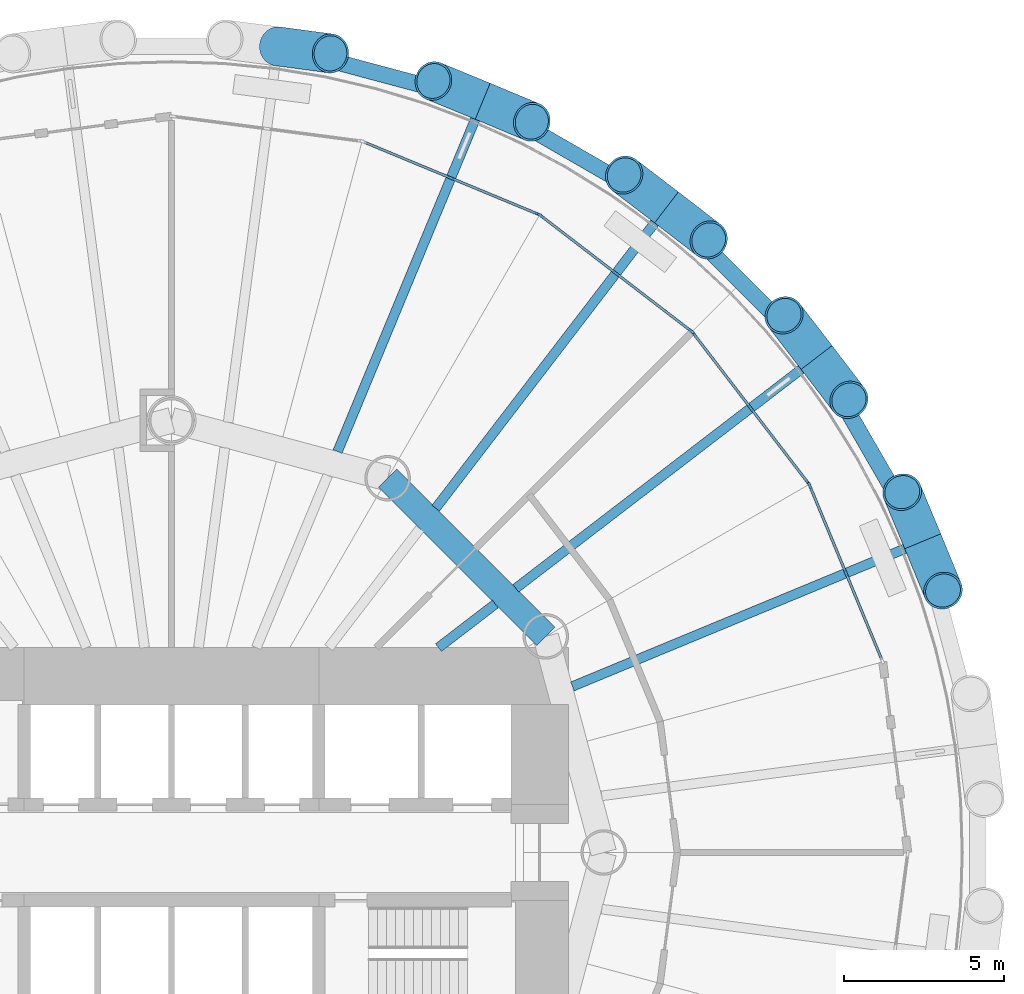
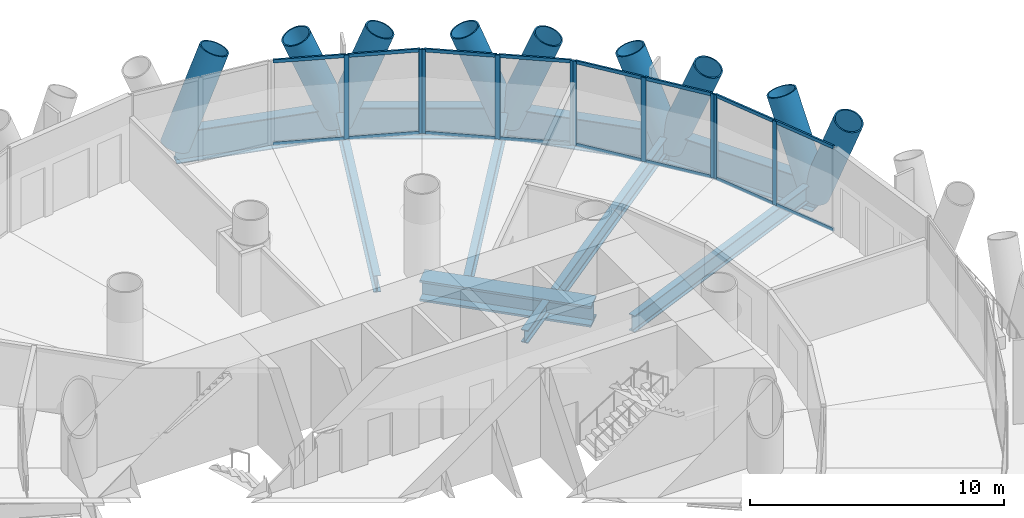
# One storey, part 6 of 14: 35 members, 10 beams, 4 elements without a shape of their own.
"""IFC4 building model written with IfcOpenShell, lengths in metres."""

from ifc_helpers import new_model, si_unit, direction, frame, origin, origin_2d, place, context, subcontext, project, spatial, rectangle, hollow_circle, i_section, extrude, material, material_profile, profile_set, type_object, element, aggregate, save


model = new_model("IFC4")

# Units and contexts
model_context = context("Model", 3, precision=1e-05, world=origin(), true_north=direction((0.0, 1.0)))
body_context = subcontext(model_context, "Body", "Model", "MODEL_VIEW")
ifc_project = project(units=[si_unit("LENGTHUNIT", "METRE"), si_unit("AREAUNIT", "SQUARE_METRE"), si_unit("VOLUMEUNIT", "CUBIC_METRE"), si_unit("PLANEANGLEUNIT", "RADIAN"), si_unit("MASSUNIT", "GRAM", prefix="KILO")], contexts=[model_context])

# Site, building, storey
site_placement = place(None, origin())
site = spatial("IfcSite", under=ifc_project, at=site_placement, CompositionType="ELEMENT")
building_placement = place(site_placement, origin())
building = spatial("IfcBuilding", under=site, at=building_placement, Name="Qaws Media Tower", CompositionType="ELEMENT")
storey_placement = place(building_placement, frame((0.0, 0.0, 68.0)))
storey = spatial("IfcBuildingStorey", under=building, at=storey_placement, Name="L14", CompositionType="ELEMENT", Elevation=68.0)

# Curtain wall, members
ifc_material_1 = material(Name="Aluminium and clear glass", Category="aluminium")
curtain_wall_type = type_object("IfcCurtainWallType", Name="Unitised curtain wall CW-A", PredefinedType="NOTDEFINED", material=ifc_material_1)
curtain_wall_1_placement = place(storey_placement, origin())
curtain_wall_1 = element("IfcCurtainWall", 1, at=curtain_wall_1_placement, inside=storey, type_object=curtain_wall_type, Name="CWA curtain wall L14-02", PredefinedType="NOTDEFINED")
ifc_material_2 = material(Name="Aluminium mullion", Category="aluminium")
ifc_material_profile_1 = material_profile(ifc_material_2, rectangle(XDim=0.080078125, YDim=0.199951171875, at=origin_2d()), Name="80x200")
ifc_profile_set_1 = profile_set([ifc_material_profile_1], Name="Aluminium mullion")
member_type_1 = type_object("IfcMemberType", Name="Curtain wall mullion 80x200", PredefinedType="MULLION", material=ifc_profile_set_1)
member_1_placement = place(storey_placement, frame((81.0673828125, 58.726318359375, 0.0), z_axis=(0.0, 0.0, 1.0), x_axis=(-0.923879516795, -0.382683470307, 0.0)))
member_1 = element("IfcMember", 2, at=member_1_placement, type_object=member_type_1, Name="CWA mullion 2", PredefinedType="MULLION", context=body_context, shape_type="SweptSolid", body=[
    extrude(rectangle(XDim=0.080078125, YDim=0.199951171875, at=origin_2d()), origin(), (0.0, 0.0, 1.0), 4.0400390625),
])
member_2_placement = place(storey_placement, frame((79.933837890625, 61.463134765625, 0.0), z_axis=(0.0, 0.0, 1.0), x_axis=(-0.923879516795, -0.382683470307, 0.0)))
member_2 = element("IfcMember", 3, at=member_2_placement, type_object=member_type_1, Name="CWA mullion 3", PredefinedType="MULLION", context=body_context, shape_type="SweptSolid", body=[
    extrude(rectangle(XDim=0.080078125, YDim=0.199951171875, at=origin_2d()), origin(), (0.0, 0.0, 1.0), 4.0400390625),
])

curtain_wall_2_placement = place(storey_placement, origin())
curtain_wall_2 = element("IfcCurtainWall", 4, at=curtain_wall_2_placement, inside=storey, type_object=curtain_wall_type, Name="CWA curtain wall L14-03", PredefinedType="NOTDEFINED")
member_3_placement = place(storey_placement, frame((79.894287109375, 61.53173828125, 0.0), z_axis=(0.0, 0.0, 1.0), x_axis=(-0.793353368033, -0.608761392855, 0.0)))
member_3 = element("IfcMember", 5, at=member_3_placement, type_object=member_type_1, Name="CWA mullion 1", PredefinedType="MULLION", context=body_context, shape_type="SweptSolid", body=[
    extrude(rectangle(XDim=0.080078125, YDim=0.199951171875, at=origin_2d()), origin(), (0.0, 0.0, 1.0), 4.0400390625),
])
member_4_placement = place(storey_placement, frame((78.091064453125, 63.8818359375, 0.0), z_axis=(0.0, 0.0, 1.0), x_axis=(-0.793353368033, -0.608761392855, 0.0)))
member_4 = element("IfcMember", 6, at=member_4_placement, type_object=member_type_1, Name="CWA mullion 2", PredefinedType="MULLION", context=body_context, shape_type="SweptSolid", body=[
    extrude(rectangle(XDim=0.080078125, YDim=0.199951171875, at=origin_2d()), origin(), (0.0, 0.0, 1.0), 4.0400390625),
])
member_5_placement = place(storey_placement, frame((76.287841796875, 66.231689453125, 0.0), z_axis=(0.0, 0.0, 1.0), x_axis=(-0.793353368033, -0.608761392855, 0.0)))
member_5 = element("IfcMember", 7, at=member_5_placement, type_object=member_type_1, Name="CWA mullion 3", PredefinedType="MULLION", context=body_context, shape_type="SweptSolid", body=[
    extrude(rectangle(XDim=0.080078125, YDim=0.199951171875, at=origin_2d()), origin(), (0.0, 0.0, 1.0), 4.0400390625),
])

curtain_wall_3_placement = place(storey_placement, origin())
curtain_wall_3 = element("IfcCurtainWall", 8, at=curtain_wall_3_placement, inside=storey, type_object=curtain_wall_type, Name="CWA curtain wall L14-04", PredefinedType="NOTDEFINED")
member_6_placement = place(storey_placement, frame((76.231689453125, 66.287841796875, 0.0), z_axis=(0.0, 0.0, 1.0), x_axis=(-0.608761392855, -0.793353368033, 0.0)))
member_6 = element("IfcMember", 9, at=member_6_placement, type_object=member_type_1, Name="CWA mullion 1", PredefinedType="MULLION", context=body_context, shape_type="SweptSolid", body=[
    extrude(rectangle(XDim=0.080078125, YDim=0.199951171875, at=origin_2d()), origin(), (0.0, 0.0, 1.0), 4.0400390625),
])
member_7_placement = place(storey_placement, frame((73.8818359375, 68.091064453125, 0.0), z_axis=(0.0, 0.0, 1.0), x_axis=(-0.608761392855, -0.793353368033, 0.0)))
member_7 = element("IfcMember", 10, at=member_7_placement, type_object=member_type_1, Name="CWA mullion 2", PredefinedType="MULLION", context=body_context, shape_type="SweptSolid", body=[
    extrude(rectangle(XDim=0.080078125, YDim=0.199951171875, at=origin_2d()), origin(), (0.0, 0.0, 1.0), 4.0400390625),
])
member_8_placement = place(storey_placement, frame((71.53173828125, 69.894287109375, 0.0), z_axis=(0.0, 0.0, 1.0), x_axis=(-0.608761392855, -0.793353368033, 0.0)))
member_8 = element("IfcMember", 11, at=member_8_placement, type_object=member_type_1, Name="CWA mullion 3", PredefinedType="MULLION", context=body_context, shape_type="SweptSolid", body=[
    extrude(rectangle(XDim=0.080078125, YDim=0.199951171875, at=origin_2d()), origin(), (0.0, 0.0, 1.0), 4.0400390625),
])

curtain_wall_4_placement = place(storey_placement, origin())
curtain_wall_4 = element("IfcCurtainWall", 12, at=curtain_wall_4_placement, inside=storey, type_object=curtain_wall_type, Name="CWA curtain wall L14-05", PredefinedType="NOTDEFINED")
member_9_placement = place(storey_placement, frame((71.463134765625, 69.933837890625, 0.0), z_axis=(0.0, 0.0, 1.0), x_axis=(-0.382683470307, -0.923879516795, 0.0)))
member_9 = element("IfcMember", 13, at=member_9_placement, type_object=member_type_1, Name="CWA mullion 1", PredefinedType="MULLION", context=body_context, shape_type="SweptSolid", body=[
    extrude(rectangle(XDim=0.080078125, YDim=0.199951171875, at=origin_2d()), origin(), (0.0, 0.0, 1.0), 4.0400390625),
])
member_10_placement = place(storey_placement, frame((68.726318359375, 71.0673828125, 0.0), z_axis=(0.0, 0.0, 1.0), x_axis=(-0.382683470307, -0.923879516795, 0.0)))
member_10 = element("IfcMember", 14, at=member_10_placement, type_object=member_type_1, Name="CWA mullion 2", PredefinedType="MULLION", context=body_context, shape_type="SweptSolid", body=[
    extrude(rectangle(XDim=0.080078125, YDim=0.199951171875, at=origin_2d()), origin(), (0.0, 0.0, 1.0), 4.0400390625),
])

# Member
ifc_material_3 = material(Name="Aluminium transom", Category="aluminium")
ifc_material_profile_2 = material_profile(ifc_material_3, rectangle(XDim=0.080078125, YDim=0.159912109375, at=origin_2d()), Name="80x160")
ifc_profile_set_2 = profile_set([ifc_material_profile_2], Name="Aluminium transom")
member_type_2 = type_object("IfcMemberType", Name="Curtain wall transom 80x160", PredefinedType="USERDEFINED", material=ifc_profile_set_2)
member_11_placement = place(storey_placement, frame((82.185791015625, 56.02685546875, 0.0400390625), z_axis=(-0.382725867339, 0.923861954228, 0.0), x_axis=(-0.923861954228, -0.382725867339, 0.0)))
member_11 = element("IfcMember", 15, at=member_11_placement, type_object=member_type_2, Name="CWA transom 1.1", ObjectType="TRANSOM", PredefinedType="USERDEFINED", context=body_context, shape_type="SweptSolid", body=[
    extrude(rectangle(XDim=0.080078125, YDim=0.159912109375, at=origin_2d()), origin(), (0.0, 0.0, 1.0), 2.882080078125),
])

member_12_placement = place(storey_placement, frame((82.185791015625, 56.02685546875, 4.0), z_axis=(-0.382725867339, 0.923861954228, 0.0), x_axis=(-0.923861954228, -0.382725867339, 0.0)))
member_12 = element("IfcMember", 16, at=member_12_placement, type_object=member_type_2, Name="CWA transom 1.2", ObjectType="TRANSOM", PredefinedType="USERDEFINED", context=body_context, shape_type="SweptSolid", body=[
    extrude(rectangle(XDim=0.080078125, YDim=0.159912109375, at=origin_2d()), origin(), (0.0, 0.0, 1.0), 2.882080078125),
])

member_13_placement = place(storey_placement, frame((81.05224609375, 58.763427734375, 0.0400390625), z_axis=(-0.382725867339, 0.923861954228, 0.0), x_axis=(-0.923861954228, -0.382725867339, 0.0)))
member_13 = element("IfcMember", 17, at=member_13_placement, type_object=member_type_2, Name="CWA transom 2.1", ObjectType="TRANSOM", PredefinedType="USERDEFINED", context=body_context, shape_type="SweptSolid", body=[
    extrude(rectangle(XDim=0.080078125, YDim=0.159912109375, at=origin_2d()), origin(), (0.0, 0.0, 1.0), 2.882080078125),
])

member_14_placement = place(storey_placement, frame((81.05224609375, 58.763427734375, 4.0), z_axis=(-0.382725867339, 0.923861954228, 0.0), x_axis=(-0.923861954228, -0.382725867339, 0.0)))
member_14 = element("IfcMember", 18, at=member_14_placement, type_object=member_type_2, Name="CWA transom 2.2", ObjectType="TRANSOM", PredefinedType="USERDEFINED", context=body_context, shape_type="SweptSolid", body=[
    extrude(rectangle(XDim=0.080078125, YDim=0.159912109375, at=origin_2d()), origin(), (0.0, 0.0, 1.0), 2.882080078125),
])

aggregate(curtain_wall_1, [member_1, member_2, member_11, member_12, member_13, member_14])

member_15_placement = place(storey_placement, frame((79.869873046875, 61.5634765625, 0.0400390625), z_axis=(-0.608719597499, 0.793385436985, 0.0), x_axis=(-0.793385436985, -0.608719597499, 0.0)))
member_15 = element("IfcMember", 19, at=member_15_placement, type_object=member_type_2, Name="CWA transom 1.1", ObjectType="TRANSOM", PredefinedType="USERDEFINED", context=body_context, shape_type="SweptSolid", body=[
    extrude(rectangle(XDim=0.080078125, YDim=0.159912109375, at=origin_2d()), origin(), (0.0, 0.0, 1.0), 2.882080078125),
])

member_16_placement = place(storey_placement, frame((79.869873046875, 61.5634765625, 4.0), z_axis=(-0.608719597499, 0.793385436985, 0.0), x_axis=(-0.793385436985, -0.608719597499, 0.0)))
member_16 = element("IfcMember", 20, at=member_16_placement, type_object=member_type_2, Name="CWA transom 1.2", ObjectType="TRANSOM", PredefinedType="USERDEFINED", context=body_context, shape_type="SweptSolid", body=[
    extrude(rectangle(XDim=0.080078125, YDim=0.159912109375, at=origin_2d()), origin(), (0.0, 0.0, 1.0), 2.882080078125),
])

member_17_placement = place(storey_placement, frame((78.066650390625, 63.91357421875, 0.0400390625), z_axis=(-0.608760509637, 0.793354045749, 0.0), x_axis=(-0.793354045749, -0.608760509637, 0.0)))
member_17 = element("IfcMember", 21, at=member_17_placement, type_object=member_type_2, Name="CWA transom 2.1", ObjectType="TRANSOM", PredefinedType="USERDEFINED", context=body_context, shape_type="SweptSolid", body=[
    extrude(rectangle(XDim=0.080078125, YDim=0.159912109375, at=origin_2d()), origin(), (0.0, 0.0, 1.0), 2.8818359375),
])

member_18_placement = place(storey_placement, frame((78.066650390625, 63.91357421875, 4.0), z_axis=(-0.608760509637, 0.793354045749, 0.0), x_axis=(-0.793354045749, -0.608760509637, 0.0)))
member_18 = element("IfcMember", 22, at=member_18_placement, type_object=member_type_2, Name="CWA transom 2.2", ObjectType="TRANSOM", PredefinedType="USERDEFINED", context=body_context, shape_type="SweptSolid", body=[
    extrude(rectangle(XDim=0.080078125, YDim=0.159912109375, at=origin_2d()), origin(), (0.0, 0.0, 1.0), 2.8818359375),
])

aggregate(curtain_wall_2, [member_3, member_4, member_5, member_15, member_16, member_17, member_18])

member_19_placement = place(storey_placement, frame((76.199951171875, 66.312255859375, 0.0400390625), z_axis=(-0.793354045749, 0.608760509637, 0.0), x_axis=(-0.608760509637, -0.793354045749, 0.0)))
member_19 = element("IfcMember", 23, at=member_19_placement, type_object=member_type_2, Name="CWA transom 1.1", ObjectType="TRANSOM", PredefinedType="USERDEFINED", context=body_context, shape_type="SweptSolid", body=[
    extrude(rectangle(XDim=0.080078125, YDim=0.159912109375, at=origin_2d()), origin(), (0.0, 0.0, 1.0), 2.8818359375),
])

member_20_placement = place(storey_placement, frame((76.199951171875, 66.312255859375, 4.0), z_axis=(-0.793354045749, 0.608760509637, 0.0), x_axis=(-0.608760509637, -0.793354045749, 0.0)))
member_20 = element("IfcMember", 24, at=member_20_placement, type_object=member_type_2, Name="CWA transom 1.2", ObjectType="TRANSOM", PredefinedType="USERDEFINED", context=body_context, shape_type="SweptSolid", body=[
    extrude(rectangle(XDim=0.080078125, YDim=0.159912109375, at=origin_2d()), origin(), (0.0, 0.0, 1.0), 2.8818359375),
])

member_21_placement = place(storey_placement, frame((73.85009765625, 68.115478515625, 0.0400390625), z_axis=(-0.793385436985, 0.608719597499, 0.0), x_axis=(-0.608719597499, -0.793385436985, 0.0)))
member_21 = element("IfcMember", 25, at=member_21_placement, type_object=member_type_2, Name="CWA transom 2.1", ObjectType="TRANSOM", PredefinedType="USERDEFINED", context=body_context, shape_type="SweptSolid", body=[
    extrude(rectangle(XDim=0.080078125, YDim=0.159912109375, at=origin_2d()), origin(), (0.0, 0.0, 1.0), 2.882080078125),
])

member_22_placement = place(storey_placement, frame((73.85009765625, 68.115478515625, 4.0), z_axis=(-0.793385436985, 0.608719597499, 0.0), x_axis=(-0.608719597499, -0.793385436985, 0.0)))
member_22 = element("IfcMember", 26, at=member_22_placement, type_object=member_type_2, Name="CWA transom 2.2", ObjectType="TRANSOM", PredefinedType="USERDEFINED", context=body_context, shape_type="SweptSolid", body=[
    extrude(rectangle(XDim=0.080078125, YDim=0.159912109375, at=origin_2d()), origin(), (0.0, 0.0, 1.0), 2.882080078125),
])

aggregate(curtain_wall_3, [member_6, member_7, member_8, member_19, member_20, member_21, member_22])

member_23_placement = place(storey_placement, frame((71.426025390625, 69.94921875, 0.0400390625), z_axis=(-0.923861954228, 0.382725867339, 0.0), x_axis=(-0.382725867339, -0.923861954228, 0.0)))
member_23 = element("IfcMember", 27, at=member_23_placement, type_object=member_type_2, Name="CWA transom 1.1", ObjectType="TRANSOM", PredefinedType="USERDEFINED", context=body_context, shape_type="SweptSolid", body=[
    extrude(rectangle(XDim=0.080078125, YDim=0.159912109375, at=origin_2d()), origin(), (0.0, 0.0, 1.0), 2.882080078125),
])

member_24_placement = place(storey_placement, frame((71.426025390625, 69.94921875, 4.0), z_axis=(-0.923861954228, 0.382725867339, 0.0), x_axis=(-0.382725867339, -0.923861954228, 0.0)))
member_24 = element("IfcMember", 28, at=member_24_placement, type_object=member_type_2, Name="CWA transom 1.2", ObjectType="TRANSOM", PredefinedType="USERDEFINED", context=body_context, shape_type="SweptSolid", body=[
    extrude(rectangle(XDim=0.080078125, YDim=0.159912109375, at=origin_2d()), origin(), (0.0, 0.0, 1.0), 2.882080078125),
])

member_25_placement = place(storey_placement, frame((68.689453125, 71.082763671875, 0.0400390625), z_axis=(-0.923861954228, 0.382725867339, 0.0), x_axis=(-0.382725867339, -0.923861954228, 0.0)))
member_25 = element("IfcMember", 29, at=member_25_placement, type_object=member_type_2, Name="CWA transom 2.1", ObjectType="TRANSOM", PredefinedType="USERDEFINED", context=body_context, shape_type="SweptSolid", body=[
    extrude(rectangle(XDim=0.080078125, YDim=0.159912109375, at=origin_2d()), origin(), (0.0, 0.0, 1.0), 2.882080078125),
])

member_26_placement = place(storey_placement, frame((68.689453125, 71.082763671875, 4.0), z_axis=(-0.923861954228, 0.382725867339, 0.0), x_axis=(-0.382725867339, -0.923861954228, 0.0)))
member_26 = element("IfcMember", 30, at=member_26_placement, type_object=member_type_2, Name="CWA transom 2.2", ObjectType="TRANSOM", PredefinedType="USERDEFINED", context=body_context, shape_type="SweptSolid", body=[
    extrude(rectangle(XDim=0.080078125, YDim=0.159912109375, at=origin_2d()), origin(), (0.0, 0.0, 1.0), 2.882080078125),
])

aggregate(curtain_wall_4, [member_9, member_10, member_23, member_24, member_25, member_26])

# Members
ifc_material_4 = material(Name="Steel S460", Category="steel")
ifc_material_profile_3 = material_profile(ifc_material_4, hollow_circle(Radius=0.609619140625, WallThickness=0.06005859375, at=origin_2d()), Name="CHS 1219x60")
ifc_profile_set_3 = profile_set([ifc_material_profile_3], Name="Steel S460")
member_type_3 = type_object("IfcMemberType", Name="Diagrid member CHS 1219x60", PredefinedType="USERDEFINED", material=ifc_profile_set_3)
for number, where, z_axis, x_axis, name in (
    (31, (83.466552734375, 59.72021484375, -0.909912109375), (-0.141908975855, 0.340019526305, 0.929649699781), (-0.922851117213, -0.385156871234, 0.0), "DG1 diagrid L14 A02"),
    (32, (83.466552734375, 59.72021484375, -0.909912109375), (0.140071829394, -0.340776603455, 0.929651111519), (0.924914851448, 0.380174325238, 0.0), "DG1 diagrid L14 B02"),
    (33, (80.151123046875, 65.462646484375, -0.909912109375), (-0.22507988538, 0.29165813719, 0.929663689841), (-0.791668736026, -0.61095058098, 0.0), "DG1 diagrid L14 A03"),
    (34, (80.151123046875, 65.462646484375, -0.909912109375), (0.223506533312, -0.292947030243, 0.929638030117), (0.795027552738, 0.60657331823, 0.0), "DG1 diagrid L14 B03"),
    (35, (75.462646484375, 70.151123046875, -0.909912109375), (-0.292947030243, 0.223506533312, 0.929638030117), (-0.60657331823, -0.795027552738, 0.0), "DG1 diagrid L14 A04"),
    (36, (75.462646484375, 70.151123046875, -0.909912109375), (0.29165813719, -0.22507988538, 0.929663689841), (0.61095058098, 0.791668736026, 0.0), "DG1 diagrid L14 B04"),
    (37, (69.72021484375, 73.466552734375, -0.909912109375), (-0.340776603455, 0.140071829394, 0.929651111519), (-0.380174325238, -0.924914851448, 0.0), "DG1 diagrid L14 A05"),
    (38, (69.72021484375, 73.466552734375, -0.909912109375), (0.340019526305, -0.141908975855, 0.929649699781), (0.385156871234, 0.922851117213, 0.0), "DG1 diagrid L14 B05"),
    (39, (63.3154296875, 75.1826171875, -0.909912109375), (0.365150048786, -0.049068557688, 0.929654623244), (0.133182057659, 0.991091589873, 0.0), "DG1 diagrid L14 B06"),
):
    element("IfcMember", number, at=place(storey_placement, frame(where, z_axis=z_axis, x_axis=x_axis)), inside=storey, type_object=member_type_3, Name=name, ObjectType="DIAGRID", PredefinedType="USERDEFINED", context=body_context, shape_type="SweptSolid", body=[
        extrude(hollow_circle(Radius=0.609619140625, WallThickness=0.06005859375, at=origin_2d()), origin(), (0.0, 0.0, 1.0), 4.517822265625),
    ])

# Beams
ifc_material_5 = material(Name="Steel S460", Category="steel")
ifc_material_profile_4 = material_profile(ifc_material_5, i_section(OverallWidth=0.5, OverallDepth=1.5, WebThickness=0.02001953125, FlangeThickness=0.0400390625, at=origin_2d()), Name="PG 1500x500")
ifc_profile_set_4 = profile_set([ifc_material_profile_4], Name="Steel S460")
beam_type_1 = type_object("IfcBeamType", Name="Edge ring beam PG 1500x500", PredefinedType="BEAM", material=ifc_profile_set_4)
beam_1_placement = place(storey_placement, frame((83.466552734375, 59.72021484375, -0.909912109375), z_axis=(-0.500003985254, 0.866023102884, 0.0), x_axis=(-0.866023102884, -0.500003985254, 0.0)))
element("IfcBeam", 40, at=beam_1_placement, inside=storey, type_object=beam_type_1, Name="RB4 edge ring beam L14-02", PredefinedType="BEAM", context=body_context, shape_type="SweptSolid", body=[
    extrude(i_section(OverallWidth=0.5, OverallDepth=1.5, WebThickness=0.02001953125, FlangeThickness=0.0400390625, at=origin_2d()), origin(), (0.0, 0.0, 1.0), 6.630859375),
])
beam_2_placement = place(storey_placement, frame((80.151123046875, 65.462646484375, -0.909912109375), z_axis=(-0.707106781187, 0.707106781187, 0.0), x_axis=(-0.707106781187, -0.707106781187, 0.0)))
element("IfcBeam", 41, at=beam_2_placement, inside=storey, type_object=beam_type_1, Name="RB4 edge ring beam L14-03", PredefinedType="BEAM", context=body_context, shape_type="SweptSolid", body=[
    extrude(i_section(OverallWidth=0.5, OverallDepth=1.5, WebThickness=0.02001953125, FlangeThickness=0.0400390625, at=origin_2d()), origin(), (0.0, 0.0, 1.0), 6.630615234375),
])
beam_3_placement = place(storey_placement, frame((75.462646484375, 70.151123046875, -0.909912109375), z_axis=(-0.866023102884, 0.500003985254, 0.0), x_axis=(-0.500003985254, -0.866023102884, 0.0)))
element("IfcBeam", 42, at=beam_3_placement, inside=storey, type_object=beam_type_1, Name="RB4 edge ring beam L14-04", PredefinedType="BEAM", context=body_context, shape_type="SweptSolid", body=[
    extrude(i_section(OverallWidth=0.5, OverallDepth=1.5, WebThickness=0.02001953125, FlangeThickness=0.0400390625, at=origin_2d()), origin(), (0.0, 0.0, 1.0), 6.630859375),
])
beam_4_placement = place(storey_placement, frame((69.72021484375, 73.466552734375, -0.909912109375), z_axis=(-0.965929315924, 0.258806021256, 0.0), x_axis=(-0.258806021256, -0.965929315924, 0.0)))
element("IfcBeam", 43, at=beam_4_placement, inside=storey, type_object=beam_type_1, Name="RB4 edge ring beam L14-05", PredefinedType="BEAM", context=body_context, shape_type="SweptSolid", body=[
    extrude(i_section(OverallWidth=0.5, OverallDepth=1.5, WebThickness=0.02001953125, FlangeThickness=0.0400390625, at=origin_2d()), origin(), (0.0, 0.0, 1.0), 6.630615234375),
])
ifc_material_6 = material(Name="Steel S460", Category="steel")
ifc_material_profile_5 = material_profile(ifc_material_6, i_section(OverallWidth=0.800048828125, OverallDepth=1.0, WebThickness=0.0400390625, FlangeThickness=0.10009765625, at=origin_2d()), Name="PG 1000x800")
ifc_profile_set_5 = profile_set([ifc_material_profile_5], Name="Steel S460")
beam_type_2 = type_object("IfcBeamType", Name="Inner ring girder PG 1000x800", PredefinedType="BEAM", material=ifc_profile_set_5)
beam_5_placement = place(storey_placement, frame((71.69140625, 56.75, -0.659912109375), z_axis=(-0.707106781187, 0.707106781187, 0.0), x_axis=(-0.707106781187, -0.707106781187, 0.0)))
element("IfcBeam", 44, at=beam_5_placement, inside=storey, type_object=beam_type_2, Name="B3 inner ring beam L14 I02-I03", PredefinedType="BEAM", context=body_context, shape_type="SweptSolid", body=[
    extrude(i_section(OverallWidth=0.800048828125, OverallDepth=1.0, WebThickness=0.0400390625, FlangeThickness=0.10009765625, at=origin_2d()), origin(), (0.0, 0.0, 1.0), 6.98828125),
])
ifc_material_7 = material(Name="Steel S355", Category="steel")
ifc_material_profile_6 = material_profile(ifc_material_7, i_section(OverallWidth=0.304931640625, OverallDepth=0.6201171875, WebThickness=0.02099609375, FlangeThickness=0.0400390625, FilletRadius=0.027099609375, at=origin_2d()), Name="HE 600 M")
ifc_profile_set_6 = profile_set([ifc_material_profile_6], Name="Steel S355")
beam_type_3 = type_object("IfcBeamType", Name="Radial beam HE 600 M, core side", PredefinedType="BEAM", material=ifc_profile_set_6)
beam_6_placement = place(storey_placement, frame((68.340576171875, 56.39990234375, -0.469970703125), z_axis=(0.793321589474, 0.608802805245, 0.0), x_axis=(-0.608802805245, 0.793321589474, 0.0)))
element("IfcBeam", 45, at=beam_6_placement, inside=storey, type_object=beam_type_3, Name="B2 radial beam L14 03", PredefinedType="BEAM", context=body_context, shape_type="SweptSolid", body=[
    extrude(i_section(OverallWidth=0.304931640625, OverallDepth=0.6201171875, WebThickness=0.02099609375, FlangeThickness=0.0400390625, FilletRadius=0.027099609375, at=origin_2d()), origin(), (0.0, 0.0, 1.0), 2.236083984375),
])
ifc_material_8 = material(Name="Steel S355", Category="steel")
ifc_material_profile_7 = material_profile(ifc_material_8, i_section(OverallWidth=0.300048828125, OverallDepth=0.800048828125, WebThickness=0.017578125, FlangeThickness=0.032958984375, FilletRadius=0.030029296875, at=origin_2d()), Name="HE 800 B")
ifc_profile_set_7 = profile_set([ifc_material_profile_7], Name="Steel S355")
beam_type_4 = type_object("IfcBeamType", Name="Radial beam HE 800 B", PredefinedType="BEAM", material=ifc_profile_set_7)
for number, where, z_axis, x_axis, name in (
    (46, (72.524169921875, 55.187744140625, -0.56005859375), (0.923879910499, 0.382682519822, 0.0), (-0.382682519822, 0.923879910499, 0.0), "B1 radial beam L14 02"),
    (47, (70.754638671875, 58.25244140625, -0.56005859375), (0.793352156737, 0.608762971443, 0.0), (-0.608762971443, 0.793352156737, 0.0), "B1 radial beam L14 03"),
    (48, (68.25244140625, 60.754638671875, -0.56005859375), (0.608762971443, 0.793352156737, 0.0), (-0.793352156737, 0.608762971443, 0.0), "B1 radial beam L14 04"),
    (49, (65.187744140625, 62.524169921875, -0.56005859375), (0.382682519822, 0.923879910499, 0.0), (-0.923879910499, 0.382682519822, 0.0), "B1 radial beam L14 05"),
):
    element("IfcBeam", number, at=place(storey_placement, frame(where, z_axis=z_axis, x_axis=x_axis)), inside=storey, type_object=beam_type_4, Name=name, PredefinedType="BEAM", context=body_context, shape_type="SweptSolid", body=[
        extrude(i_section(OverallWidth=0.300048828125, OverallDepth=0.800048828125, WebThickness=0.017578125, FlangeThickness=0.032958984375, FilletRadius=0.030029296875, at=origin_2d()), origin(), (0.0, 0.0, 1.0), 11.843994140625),
    ])

save(model, "model.ifc")
